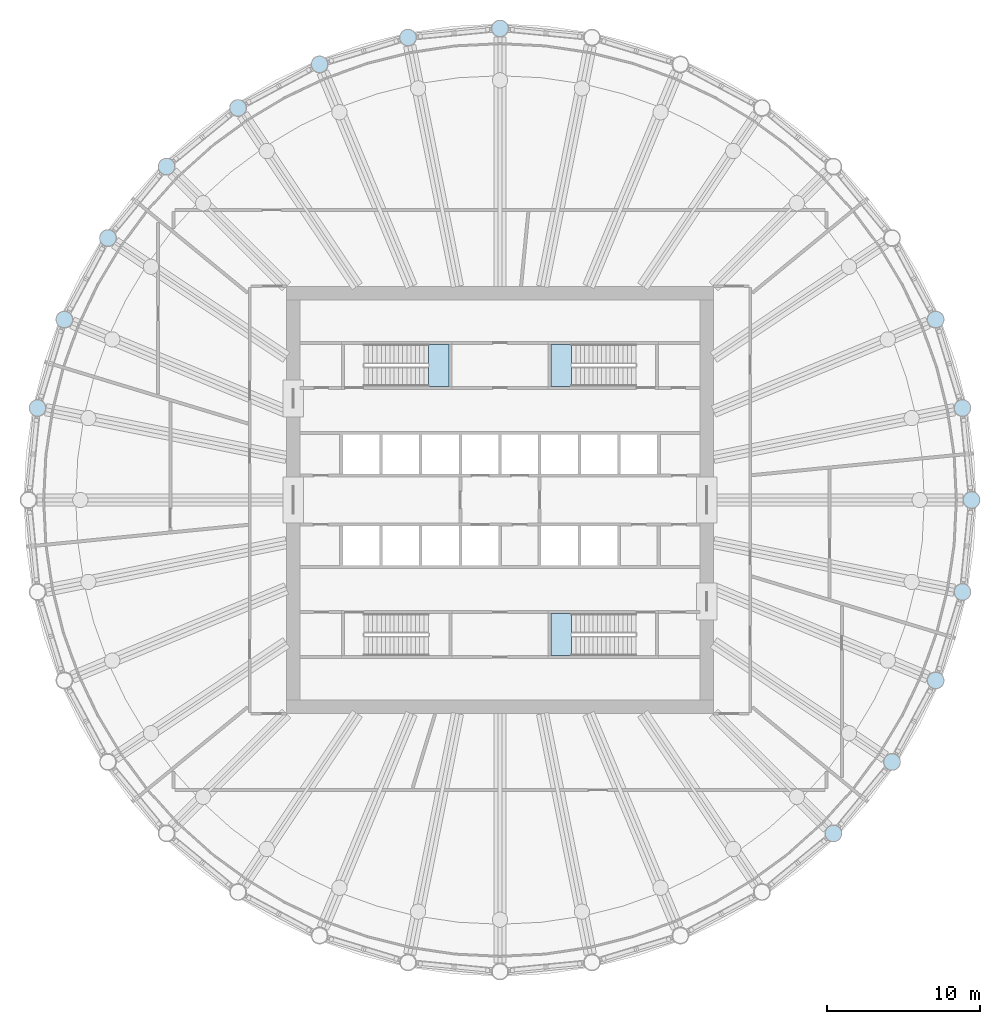
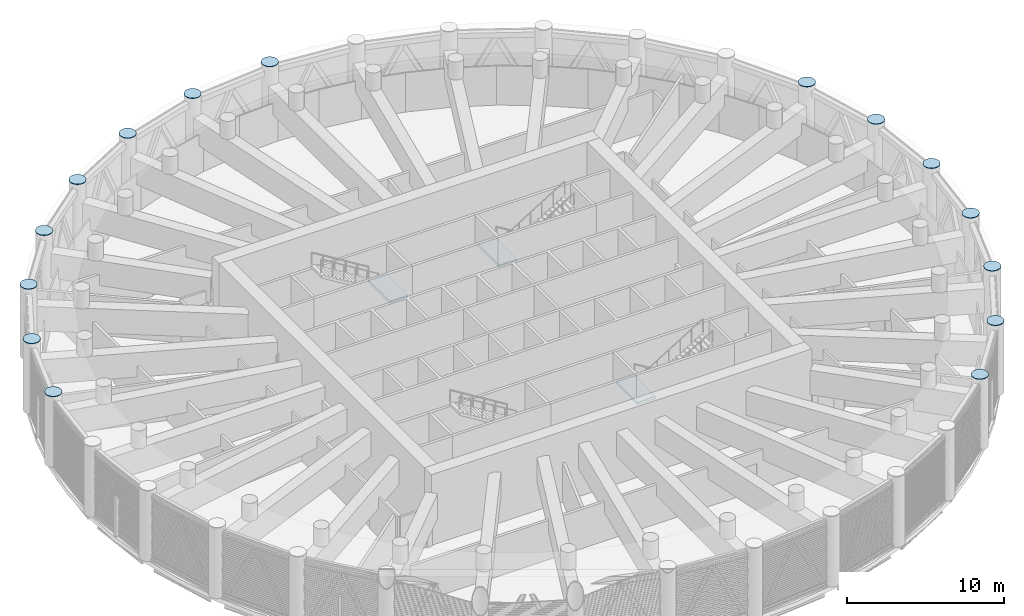
# One storey, part 6 of 23: 15 plates, 3 slabs, 3 elements without a shape of their own.
"""IFC4 building model written with IfcOpenShell, lengths in metres."""

import ifcopenshell
import ifcopenshell.guid

model = None  # the IFC model being written
_history = None  # IfcOwnerHistory: only IFC2X3 demands one
_inside = {}  # id of a spatial element -> (the spatial element, [elements in it])
_under = {}  # id of a project, library or spatial element -> (it, [spatial elements below it])
_declared = {}  # id of a project -> (the project, [libraries it declares])
_typed = {}  # id of a type object -> (the type object, [elements of that type])
_made_of = {}  # id of a material, layer set ... -> (it, [elements and type objects made of it])


def new_model(schema):
    """Start an empty IFC model of exactly this schema.

    Asked for "IFC4X3", IfcOpenShell would pick the latest addendum, in which some entities
    have other attributes; the version numbers below select the first issue.
    IFC2X3 requires an IfcOwnerHistory on every rooted entity: one is made here for all.
    """
    global model, _history
    if schema == "IFC4X3":
        model = ifcopenshell.file(schema_version=(4, 3, 0, 0))
    else:
        model = ifcopenshell.file(schema=schema)
    _inside.clear()
    _under.clear()
    _declared.clear()
    _typed.clear()
    _made_of.clear()
    _history = None
    if model.schema == "IFC2X3":
        org = make("IfcOrganization", Name="unknown")
        user = make(
            "IfcPersonAndOrganization",
            ThePerson=make("IfcPerson", FamilyName="unknown"),
            TheOrganization=org,
        )
        app = make(
            "IfcApplication",
            ApplicationDeveloper=org,
            Version="unknown",
            ApplicationFullName="unknown",
            ApplicationIdentifier="unknown",
        )
        _history = make(
            "IfcOwnerHistory",
            OwningUser=user,
            OwningApplication=app,
            ChangeAction="ADDED",
            CreationDate=0,
        )
    return model


def make(cls, **values):
    """One entity of the class cls with the attributes given. An attribute that is None is left unset."""
    return model.create_entity(
        cls, **{name: value for name, value in values.items() if value is not None}
    )


def rooted(cls, **values):
    """An entity with a GlobalId (a new one), such as an element, a storey or a relation."""
    return make(cls, GlobalId=ifcopenshell.guid.new(), OwnerHistory=_history, **values)


def si_unit(unit_type, name, prefix=None):
    """IfcSIUnit, for example si_unit("LENGTHUNIT", "METRE", prefix="MILLI")."""
    return make("IfcSIUnit", UnitType=unit_type, Prefix=prefix, Name=name)


def assignment(units):
    """IfcUnitAssignment: the units of a project."""
    return None if units is None else make("IfcUnitAssignment", Units=units)


def point(xyz):
    """IfcCartesianPoint."""
    return None if xyz is None else make("IfcCartesianPoint", Coordinates=xyz)


def direction(xyz):
    """IfcDirection."""
    return None if xyz is None else make("IfcDirection", DirectionRatios=xyz)


def frame(location, z_axis=None, x_axis=None):
    """IfcAxis2Placement3D, a coordinate frame: its origin and axes. An axis left out is left unset."""
    return make(
        "IfcAxis2Placement3D",
        Location=point(location),
        Axis=direction(z_axis),
        RefDirection=direction(x_axis),
    )


def origin():
    """The frame at (0, 0, 0) with its axes left unset."""
    return frame((0.0, 0.0, 0.0))


def place(relative_to, where):
    """IfcLocalPlacement: puts the frame where relative to a parent placement (None: the world)."""
    return make(
        "IfcLocalPlacement", PlacementRelTo=relative_to, RelativePlacement=where
    )


def context(
    kind, dimensions, precision=None, world=None, true_north=None, identifier=None
):
    """IfcGeometricRepresentationContext, for example the 3D "Model" context."""
    return make(
        "IfcGeometricRepresentationContext",
        ContextIdentifier=identifier,
        ContextType=kind,
        CoordinateSpaceDimension=dimensions,
        Precision=precision,
        WorldCoordinateSystem=world,
        TrueNorth=true_north,
    )


def subcontext(parent, identifier, kind, view, scale=None):
    """IfcGeometricRepresentationSubContext, for example "Body" below "Model"."""
    return make(
        "IfcGeometricRepresentationSubContext",
        ContextIdentifier=identifier,
        ContextType=kind,
        ParentContext=parent,
        TargetScale=scale,
        TargetView=view,
    )


def project(units=None, contexts=None):
    """IfcProject with its units and contexts."""
    return rooted(
        "IfcProject",
        Name="project",
        RepresentationContexts=contexts,
        UnitsInContext=assignment(units),
    )


def spatial(cls, under=None, at=None, **own):
    """A site, building, storey or space (cls), placed at a placement, below another one or the project."""
    s = rooted(cls, ObjectPlacement=at, **own)
    if under is not None:
        _under.setdefault(under.id(), (under, []))[1].append(s)
    return s


def polyline(points):
    """IfcPolyline through the points."""
    return make("IfcPolyline", Points=[point(p) for p in points])


def outline(outer, holes=None, kind="AREA"):
    """IfcArbitraryClosedProfileDef: a profile drawn as a closed curve; with holes, ...WithVoids."""
    if holes is None:
        return make("IfcArbitraryClosedProfileDef", ProfileType=kind, OuterCurve=outer)
    return make(
        "IfcArbitraryProfileDefWithVoids",
        ProfileType=kind,
        OuterCurve=outer,
        InnerCurves=holes,
    )


def extrude(swept, where, along, depth):
    """IfcExtrudedAreaSolid: the profile swept, set in the frame where, extruded along a direction by depth."""
    return make(
        "IfcExtrudedAreaSolid",
        SweptArea=swept,
        Position=where,
        ExtrudedDirection=direction(along),
        Depth=depth,
    )


def shape(context_of_items, identifier, shape_type, items):
    """IfcShapeRepresentation: the items that make up one representation, for example the "Body"."""
    return make(
        "IfcShapeRepresentation",
        ContextOfItems=context_of_items,
        RepresentationIdentifier=identifier,
        RepresentationType=shape_type,
        Items=items,
    )


def material(Name=None, Category=None):
    """IfcMaterial."""
    return make("IfcMaterial", Name=Name, Category=Category)


def layer(
    of_material, thickness, ventilated=None, Name=None, Category=None, Priority=None
):
    """IfcMaterialLayer: one layer of a wall or slab, of a material (None: an air gap)."""
    return make(
        "IfcMaterialLayer",
        Material=of_material,
        LayerThickness=thickness,
        IsVentilated=ventilated,
        Name=Name,
        Category=Category,
        Priority=Priority,
    )


def layer_set(layers, Name=None):
    """IfcMaterialLayerSet."""
    return make("IfcMaterialLayerSet", MaterialLayers=layers, LayerSetName=Name)


def made_of(thing, what):
    """Note that an element or type object is made of a material, layer set ...; save() writes the relation."""
    if what is not None:
        _made_of.setdefault(what.id(), (what, []))[1].append(thing)
    return thing


def type_object(cls, material=None, **own):
    """A type object (cls), such as IfcWallType, which elements share."""
    return made_of(rooted(cls, **own), material)


def element(
    cls,
    number,
    at=None,
    inside=None,
    cuts=None,
    type_object=None,
    material=None,
    context=None,
    identifier="Body",
    shape_type=None,
    held_by="IfcProductDefinitionShape",
    body=None,
    shapes=None,
    **own,
):
    """One element of the class cls, such as IfcWall. Its Tag is "e" and its number.

    at: its placement. inside: the storey or other place that contains it. cuts: it is an
    opening in that element (IfcRelVoidsElement). A single representation is given by context,
    identifier, shape_type and body (its items); several are given by shapes. held_by: the class
    of the entity that holds the representations. save() writes the other relations.
    """
    e = rooted(cls, Tag="e%d" % number, ObjectPlacement=at, **own)
    if body is not None:
        shapes = [shape(context, identifier, shape_type, body)]
    if shapes is not None:
        e.Representation = make(held_by, Representations=shapes)
    if inside is not None:
        _inside.setdefault(inside.id(), (inside, []))[1].append(e)
    if cuts is not None:
        rooted(
            "IfcRelVoidsElement", RelatingBuildingElement=cuts, RelatedOpeningElement=e
        )
    if type_object is not None:
        _typed.setdefault(type_object.id(), (type_object, []))[1].append(e)
    return made_of(e, material)


def aggregate(whole, parts):
    """IfcRelAggregates: a whole, such as a stair, and the parts it consists of."""
    return rooted("IfcRelAggregates", RelatingObject=whole, RelatedObjects=parts)


def save(model, path):
    """Write the relations noted so far, then the file.

    IfcRelAggregates (storeys below a building ...), IfcRelContainedInSpatialStructure (elements
    in a storey), IfcRelDefinesByType, IfcRelAssociatesMaterial and IfcRelDeclares: one each for
    every whole, place, type object, material and project.
    """
    for whole, parts in _under.values():
        aggregate(whole, parts)
    for where, things in _inside.values():
        rooted(
            "IfcRelContainedInSpatialStructure",
            RelatedElements=things,
            RelatingStructure=where,
        )
    for kind, things in _typed.values():
        rooted("IfcRelDefinesByType", RelatedObjects=things, RelatingType=kind)
    for what, things in _made_of.values():
        rooted("IfcRelAssociatesMaterial", RelatedObjects=things, RelatingMaterial=what)
    for by, libraries in _declared.values():
        rooted("IfcRelDeclares", RelatingContext=by, RelatedDefinitions=libraries)
    model.write(path)


model = new_model("IFC4")

# Units and contexts
model_context = context("Model", 3, precision=1e-05, world=origin(), true_north=direction((0.0, 1.0)))
body_context = subcontext(model_context, "Body", "Model", "MODEL_VIEW")
ifc_project = project(units=[si_unit("LENGTHUNIT", "METRE"), si_unit("AREAUNIT", "SQUARE_METRE"), si_unit("VOLUMEUNIT", "CUBIC_METRE"), si_unit("PLANEANGLEUNIT", "RADIAN"), si_unit("MASSUNIT", "GRAM", prefix="KILO")], contexts=[model_context])

# Site, building, storey
site_placement = place(None, origin())
site = spatial("IfcSite", under=ifc_project, at=site_placement, CompositionType="ELEMENT")
building_placement = place(site_placement, origin())
building = spatial("IfcBuilding", under=site, at=building_placement, Name="Corvane Civic Tower", CompositionType="ELEMENT")
storey_placement = place(building_placement, frame((0.0, 0.0, 196.0)))
storey = spatial("IfcBuildingStorey", under=building, at=storey_placement, Name="L46", CompositionType="ELEMENT", Elevation=196.0)

# Plates
ifc_material_1 = material(Name="Steel ASTM A572 Gr 50", Category="steel")
ifc_layer_1 = layer(ifc_material_1, 0.044921875)
ifc_layer_set_1 = layer_set([ifc_layer_1], Name="Steel ASTM A572 Gr 50")
plate_type = type_object("IfcPlateType", Name="COLUMN CAP PLATE 45", PredefinedType="SHEET", material=ifc_layer_set_1)
plate_1_placement = place(storey_placement, frame((0.0, 0.0, 5.5)))
element("IfcPlate", 1, at=plate_1_placement, inside=storey, type_object=plate_type, Name="PL-L46-cap-C01", PredefinedType="SHEET", context=body_context, shape_type="SweptSolid", body=[
    extrude(outline(polyline([(0.550048828125, 30.89990234375), (0.54541015625, 30.9716796875), (0.53125, 31.042236328125), (0.508056640625, 31.1103515625), (0.476318359375, 31.1748046875), (0.436279296875, 31.234619140625), (0.388916015625, 31.288818359375), (0.334716796875, 31.336181640625), (0.27490234375, 31.376220703125), (0.21044921875, 31.407958984375), (0.142333984375, 31.43115234375), (0.07177734375, 31.4453125), (0.0, 31.449951171875), (-0.07177734375, 31.4453125), (-0.142333984375, 31.43115234375), (-0.21044921875, 31.407958984375), (-0.27490234375, 31.376220703125), (-0.334716796875, 31.336181640625), (-0.388916015625, 31.288818359375), (-0.436279296875, 31.234619140625), (-0.476318359375, 31.1748046875), (-0.508056640625, 31.1103515625), (-0.53125, 31.042236328125), (-0.54541015625, 30.9716796875), (-0.550048828125, 30.89990234375), (-0.54541015625, 30.828125), (-0.53125, 30.757568359375), (-0.508056640625, 30.689453125), (-0.476318359375, 30.625), (-0.436279296875, 30.565185546875), (-0.388916015625, 30.510986328125), (-0.334716796875, 30.463623046875), (-0.27490234375, 30.423583984375), (-0.21044921875, 30.391845703125), (-0.142333984375, 30.36865234375), (-0.07177734375, 30.3544921875), (0.0, 30.349853515625), (0.07177734375, 30.3544921875), (0.142333984375, 30.36865234375), (0.21044921875, 30.391845703125), (0.27490234375, 30.423583984375), (0.334716796875, 30.463623046875), (0.388916015625, 30.510986328125), (0.436279296875, 30.565185546875), (0.476318359375, 30.625), (0.508056640625, 30.689453125), (0.53125, 30.757568359375), (0.54541015625, 30.828125), (0.550048828125, 30.89990234375)])), origin(), (0.0, 0.0, 1.0), 0.044921875),
])
plate_2_placement = place(storey_placement, frame((0.0, 0.0, 5.5)))
element("IfcPlate", 2, at=plate_2_placement, inside=storey, type_object=plate_type, Name="PL-L46-cap-C07", PredefinedType="SHEET", context=body_context, shape_type="SweptSolid", body=[
    extrude(outline(polyline([(29.097900390625, 11.824951171875), (29.093017578125, 11.896728515625), (29.0791015625, 11.96728515625), (29.055908203125, 12.035400390625), (29.024169921875, 12.10009765625), (28.984130859375, 12.159912109375), (28.936767578125, 12.2138671875), (28.8828125, 12.26123046875), (28.822998046875, 12.30126953125), (28.75830078125, 12.3330078125), (28.690185546875, 12.356201171875), (28.61962890625, 12.3701171875), (28.5478515625, 12.375), (28.47607421875, 12.3701171875), (28.405517578125, 12.356201171875), (28.33740234375, 12.3330078125), (28.27294921875, 12.30126953125), (28.212890625, 12.26123046875), (28.158935546875, 12.2138671875), (28.111572265625, 12.159912109375), (28.071533203125, 12.10009765625), (28.039794921875, 12.035400390625), (28.0166015625, 11.96728515625), (28.002685546875, 11.896728515625), (27.997802734375, 11.824951171875), (28.002685546875, 11.753173828125), (28.0166015625, 11.6826171875), (28.039794921875, 11.614501953125), (28.071533203125, 11.550048828125), (28.111572265625, 11.489990234375), (28.158935546875, 11.43603515625), (28.212890625, 11.388671875), (28.27294921875, 11.3486328125), (28.33740234375, 11.31689453125), (28.405517578125, 11.293701171875), (28.47607421875, 11.27978515625), (28.5478515625, 11.27490234375), (28.61962890625, 11.27978515625), (28.690185546875, 11.293701171875), (28.75830078125, 11.31689453125), (28.822998046875, 11.3486328125), (28.8828125, 11.388671875), (28.936767578125, 11.43603515625), (28.984130859375, 11.489990234375), (29.024169921875, 11.550048828125), (29.055908203125, 11.614501953125), (29.0791015625, 11.6826171875), (29.093017578125, 11.753173828125), (29.097900390625, 11.824951171875)])), origin(), (0.0, 0.0, 1.0), 0.044921875),
])
plate_3_placement = place(storey_placement, frame((0.0, 0.0, 5.5)))
element("IfcPlate", 3, at=plate_3_placement, inside=storey, type_object=plate_type, Name="PL-L46-cap-C08", PredefinedType="SHEET", context=body_context, shape_type="SweptSolid", body=[
    extrude(outline(polyline([(30.856201171875, 6.0283203125), (30.851318359375, 6.10009765625), (30.83740234375, 6.170654296875), (30.814208984375, 6.23876953125), (30.782470703125, 6.30322265625), (30.742431640625, 6.363037109375), (30.695068359375, 6.417236328125), (30.64111328125, 6.464599609375), (30.581298828125, 6.504638671875), (30.5166015625, 6.53662109375), (30.448486328125, 6.5595703125), (30.3779296875, 6.573486328125), (30.30615234375, 6.578369140625), (30.234375, 6.573486328125), (30.163818359375, 6.5595703125), (30.095703125, 6.53662109375), (30.03125, 6.504638671875), (29.97119140625, 6.464599609375), (29.917236328125, 6.417236328125), (29.869873046875, 6.363037109375), (29.829833984375, 6.30322265625), (29.798095703125, 6.23876953125), (29.77490234375, 6.170654296875), (29.760986328125, 6.10009765625), (29.756103515625, 6.0283203125), (29.760986328125, 5.95654296875), (29.77490234375, 5.885986328125), (29.798095703125, 5.81787109375), (29.829833984375, 5.75341796875), (29.869873046875, 5.693603515625), (29.917236328125, 5.639404296875), (29.97119140625, 5.592041015625), (30.03125, 5.552001953125), (30.095703125, 5.520263671875), (30.163818359375, 5.4970703125), (30.234375, 5.48291015625), (30.30615234375, 5.478271484375), (30.3779296875, 5.48291015625), (30.448486328125, 5.4970703125), (30.5166015625, 5.520263671875), (30.581298828125, 5.552001953125), (30.64111328125, 5.592041015625), (30.695068359375, 5.639404296875), (30.742431640625, 5.693603515625), (30.782470703125, 5.75341796875), (30.814208984375, 5.81787109375), (30.83740234375, 5.885986328125), (30.851318359375, 5.95654296875), (30.856201171875, 6.0283203125)])), origin(), (0.0, 0.0, 1.0), 0.044921875),
])
plate_4_placement = place(storey_placement, frame((0.0, 0.0, 5.5)))
element("IfcPlate", 4, at=plate_4_placement, inside=storey, type_object=plate_type, Name="PL-L46-cap-C09", PredefinedType="SHEET", context=body_context, shape_type="SweptSolid", body=[
    extrude(outline(polyline([(31.449951171875, 0.0), (31.4453125, 0.07177734375), (31.43115234375, 0.142333984375), (31.407958984375, 0.21044921875), (31.376220703125, 0.27490234375), (31.336181640625, 0.334716796875), (31.288818359375, 0.388916015625), (31.234619140625, 0.436279296875), (31.1748046875, 0.476318359375), (31.1103515625, 0.508056640625), (31.042236328125, 0.53125), (30.9716796875, 0.54541015625), (30.89990234375, 0.550048828125), (30.828125, 0.54541015625), (30.757568359375, 0.53125), (30.689453125, 0.508056640625), (30.625, 0.476318359375), (30.565185546875, 0.436279296875), (30.510986328125, 0.388916015625), (30.463623046875, 0.334716796875), (30.423583984375, 0.27490234375), (30.391845703125, 0.21044921875), (30.36865234375, 0.142333984375), (30.3544921875, 0.07177734375), (30.349853515625, 0.0), (30.3544921875, -0.07177734375), (30.36865234375, -0.142333984375), (30.391845703125, -0.21044921875), (30.423583984375, -0.27490234375), (30.463623046875, -0.334716796875), (30.510986328125, -0.388916015625), (30.565185546875, -0.436279296875), (30.625, -0.476318359375), (30.689453125, -0.508056640625), (30.757568359375, -0.53125), (30.828125, -0.54541015625), (30.89990234375, -0.550048828125), (30.9716796875, -0.54541015625), (31.042236328125, -0.53125), (31.1103515625, -0.508056640625), (31.1748046875, -0.476318359375), (31.234619140625, -0.436279296875), (31.288818359375, -0.388916015625), (31.336181640625, -0.334716796875), (31.376220703125, -0.27490234375), (31.407958984375, -0.21044921875), (31.43115234375, -0.142333984375), (31.4453125, -0.07177734375), (31.449951171875, 0.0)])), origin(), (0.0, 0.0, 1.0), 0.044921875),
])
plate_5_placement = place(storey_placement, frame((0.0, 0.0, 5.5)))
element("IfcPlate", 5, at=plate_5_placement, inside=storey, type_object=plate_type, Name="PL-L46-cap-C10", PredefinedType="SHEET", context=body_context, shape_type="SweptSolid", body=[
    extrude(outline(polyline([(30.856201171875, -6.0283203125), (30.851318359375, -5.95654296875), (30.83740234375, -5.885986328125), (30.814208984375, -5.81787109375), (30.782470703125, -5.75341796875), (30.742431640625, -5.693603515625), (30.695068359375, -5.639404296875), (30.64111328125, -5.592041015625), (30.581298828125, -5.552001953125), (30.5166015625, -5.520263671875), (30.448486328125, -5.4970703125), (30.3779296875, -5.48291015625), (30.30615234375, -5.478271484375), (30.234375, -5.48291015625), (30.163818359375, -5.4970703125), (30.095703125, -5.520263671875), (30.03125, -5.552001953125), (29.97119140625, -5.592041015625), (29.917236328125, -5.639404296875), (29.869873046875, -5.693603515625), (29.829833984375, -5.75341796875), (29.798095703125, -5.81787109375), (29.77490234375, -5.885986328125), (29.760986328125, -5.95654296875), (29.756103515625, -6.0283203125), (29.760986328125, -6.10009765625), (29.77490234375, -6.170654296875), (29.798095703125, -6.23876953125), (29.829833984375, -6.30322265625), (29.869873046875, -6.363037109375), (29.917236328125, -6.417236328125), (29.97119140625, -6.464599609375), (30.03125, -6.504638671875), (30.095703125, -6.53662109375), (30.163818359375, -6.5595703125), (30.234375, -6.573486328125), (30.30615234375, -6.578369140625), (30.3779296875, -6.573486328125), (30.448486328125, -6.5595703125), (30.5166015625, -6.53662109375), (30.581298828125, -6.504638671875), (30.64111328125, -6.464599609375), (30.695068359375, -6.417236328125), (30.742431640625, -6.363037109375), (30.782470703125, -6.30322265625), (30.814208984375, -6.23876953125), (30.83740234375, -6.170654296875), (30.851318359375, -6.10009765625), (30.856201171875, -6.0283203125)])), origin(), (0.0, 0.0, 1.0), 0.044921875),
])
plate_6_placement = place(storey_placement, frame((0.0, 0.0, 5.5)))
element("IfcPlate", 6, at=plate_6_placement, inside=storey, type_object=plate_type, Name="PL-L46-cap-C11", PredefinedType="SHEET", context=body_context, shape_type="SweptSolid", body=[
    extrude(outline(polyline([(29.097900390625, -11.824951171875), (29.093017578125, -11.753173828125), (29.0791015625, -11.6826171875), (29.055908203125, -11.614501953125), (29.024169921875, -11.550048828125), (28.984130859375, -11.489990234375), (28.936767578125, -11.43603515625), (28.8828125, -11.388671875), (28.822998046875, -11.3486328125), (28.75830078125, -11.31689453125), (28.690185546875, -11.293701171875), (28.61962890625, -11.27978515625), (28.5478515625, -11.27490234375), (28.47607421875, -11.27978515625), (28.405517578125, -11.293701171875), (28.33740234375, -11.31689453125), (28.27294921875, -11.3486328125), (28.212890625, -11.388671875), (28.158935546875, -11.43603515625), (28.111572265625, -11.489990234375), (28.071533203125, -11.550048828125), (28.039794921875, -11.614501953125), (28.0166015625, -11.6826171875), (28.002685546875, -11.753173828125), (27.997802734375, -11.824951171875), (28.002685546875, -11.896728515625), (28.0166015625, -11.96728515625), (28.039794921875, -12.035400390625), (28.071533203125, -12.10009765625), (28.111572265625, -12.159912109375), (28.158935546875, -12.2138671875), (28.212890625, -12.26123046875), (28.27294921875, -12.30126953125), (28.33740234375, -12.3330078125), (28.405517578125, -12.356201171875), (28.47607421875, -12.3701171875), (28.5478515625, -12.375), (28.61962890625, -12.3701171875), (28.690185546875, -12.356201171875), (28.75830078125, -12.3330078125), (28.822998046875, -12.30126953125), (28.8828125, -12.26123046875), (28.936767578125, -12.2138671875), (28.984130859375, -12.159912109375), (29.024169921875, -12.10009765625), (29.055908203125, -12.035400390625), (29.0791015625, -11.96728515625), (29.093017578125, -11.896728515625), (29.097900390625, -11.824951171875)])), origin(), (0.0, 0.0, 1.0), 0.044921875),
])
plate_7_placement = place(storey_placement, frame((0.0, 0.0, 5.5)))
element("IfcPlate", 7, at=plate_7_placement, inside=storey, type_object=plate_type, Name="PL-L46-cap-C12", PredefinedType="SHEET", context=body_context, shape_type="SweptSolid", body=[
    extrude(outline(polyline([(26.242431640625, -17.167236328125), (26.23779296875, -17.095458984375), (26.2236328125, -17.02490234375), (26.200439453125, -16.956787109375), (26.168701171875, -16.89208984375), (26.128662109375, -16.83251953125), (26.081298828125, -16.7783203125), (26.027099609375, -16.73095703125), (25.96728515625, -16.69091796875), (25.90283203125, -16.6591796875), (25.834716796875, -16.635986328125), (25.76416015625, -16.621826171875), (25.6923828125, -16.6171875), (25.62060546875, -16.621826171875), (25.550048828125, -16.635986328125), (25.48193359375, -16.6591796875), (25.41748046875, -16.69091796875), (25.357666015625, -16.73095703125), (25.303466796875, -16.7783203125), (25.256103515625, -16.83251953125), (25.216064453125, -16.89208984375), (25.18408203125, -16.956787109375), (25.1611328125, -17.02490234375), (25.147216796875, -17.095458984375), (25.142333984375, -17.167236328125), (25.147216796875, -17.239013671875), (25.1611328125, -17.3095703125), (25.18408203125, -17.377685546875), (25.216064453125, -17.442138671875), (25.256103515625, -17.502197265625), (25.303466796875, -17.55615234375), (25.357666015625, -17.603515625), (25.41748046875, -17.6435546875), (25.48193359375, -17.67529296875), (25.550048828125, -17.698486328125), (25.62060546875, -17.71240234375), (25.6923828125, -17.71728515625), (25.76416015625, -17.71240234375), (25.834716796875, -17.698486328125), (25.90283203125, -17.67529296875), (25.96728515625, -17.6435546875), (26.027099609375, -17.603515625), (26.081298828125, -17.55615234375), (26.128662109375, -17.502197265625), (26.168701171875, -17.442138671875), (26.200439453125, -17.377685546875), (26.2236328125, -17.3095703125), (26.23779296875, -17.239013671875), (26.242431640625, -17.167236328125)])), origin(), (0.0, 0.0, 1.0), 0.044921875),
])
plate_8_placement = place(storey_placement, frame((0.0, 0.0, 5.5)))
element("IfcPlate", 8, at=plate_8_placement, inside=storey, type_object=plate_type, Name="PL-L46-cap-C13", PredefinedType="SHEET", context=body_context, shape_type="SweptSolid", body=[
    extrude(outline(polyline([(22.399658203125, -21.849609375), (22.39501953125, -21.77783203125), (22.380859375, -21.707275390625), (22.357666015625, -21.63916015625), (22.325927734375, -21.57470703125), (22.285888671875, -21.514892578125), (22.238525390625, -21.460693359375), (22.184326171875, -21.413330078125), (22.12451171875, -21.373291015625), (22.06005859375, -21.341552734375), (21.991943359375, -21.318359375), (21.92138671875, -21.30419921875), (21.849609375, -21.299560546875), (21.77783203125, -21.30419921875), (21.707275390625, -21.318359375), (21.63916015625, -21.341552734375), (21.57470703125, -21.373291015625), (21.514892578125, -21.413330078125), (21.460693359375, -21.460693359375), (21.413330078125, -21.514892578125), (21.373291015625, -21.57470703125), (21.341552734375, -21.63916015625), (21.318359375, -21.707275390625), (21.30419921875, -21.77783203125), (21.299560546875, -21.849609375), (21.30419921875, -21.92138671875), (21.318359375, -21.991943359375), (21.341552734375, -22.06005859375), (21.373291015625, -22.12451171875), (21.413330078125, -22.184326171875), (21.460693359375, -22.238525390625), (21.514892578125, -22.285888671875), (21.57470703125, -22.325927734375), (21.63916015625, -22.357666015625), (21.707275390625, -22.380859375), (21.77783203125, -22.39501953125), (21.849609375, -22.399658203125), (21.92138671875, -22.39501953125), (21.991943359375, -22.380859375), (22.06005859375, -22.357666015625), (22.12451171875, -22.325927734375), (22.184326171875, -22.285888671875), (22.238525390625, -22.238525390625), (22.285888671875, -22.184326171875), (22.325927734375, -22.12451171875), (22.357666015625, -22.06005859375), (22.380859375, -21.991943359375), (22.39501953125, -21.92138671875), (22.399658203125, -21.849609375)])), origin(), (0.0, 0.0, 1.0), 0.044921875),
])
plate_9_placement = place(storey_placement, frame((0.0, 0.0, 5.5)))
element("IfcPlate", 9, at=plate_9_placement, inside=storey, type_object=plate_type, Name="PL-L46-cap-C26", PredefinedType="SHEET", context=body_context, shape_type="SweptSolid", body=[
    extrude(outline(polyline([(-29.756103515625, 6.0283203125), (-29.760986328125, 6.10009765625), (-29.77490234375, 6.170654296875), (-29.798095703125, 6.23876953125), (-29.829833984375, 6.30322265625), (-29.869873046875, 6.363037109375), (-29.917236328125, 6.417236328125), (-29.97119140625, 6.464599609375), (-30.03125, 6.504638671875), (-30.095703125, 6.53662109375), (-30.163818359375, 6.5595703125), (-30.234375, 6.573486328125), (-30.30615234375, 6.578369140625), (-30.3779296875, 6.573486328125), (-30.448486328125, 6.5595703125), (-30.5166015625, 6.53662109375), (-30.581298828125, 6.504638671875), (-30.64111328125, 6.464599609375), (-30.695068359375, 6.417236328125), (-30.742431640625, 6.363037109375), (-30.782470703125, 6.30322265625), (-30.814208984375, 6.23876953125), (-30.83740234375, 6.170654296875), (-30.851318359375, 6.10009765625), (-30.856201171875, 6.0283203125), (-30.851318359375, 5.95654296875), (-30.83740234375, 5.885986328125), (-30.814208984375, 5.81787109375), (-30.782470703125, 5.75341796875), (-30.742431640625, 5.693603515625), (-30.695068359375, 5.639404296875), (-30.64111328125, 5.592041015625), (-30.581298828125, 5.552001953125), (-30.5166015625, 5.520263671875), (-30.448486328125, 5.4970703125), (-30.3779296875, 5.48291015625), (-30.30615234375, 5.478271484375), (-30.234375, 5.48291015625), (-30.163818359375, 5.4970703125), (-30.095703125, 5.520263671875), (-30.03125, 5.552001953125), (-29.97119140625, 5.592041015625), (-29.917236328125, 5.639404296875), (-29.869873046875, 5.693603515625), (-29.829833984375, 5.75341796875), (-29.798095703125, 5.81787109375), (-29.77490234375, 5.885986328125), (-29.760986328125, 5.95654296875), (-29.756103515625, 6.0283203125)])), origin(), (0.0, 0.0, 1.0), 0.044921875),
])
plate_10_placement = place(storey_placement, frame((0.0, 0.0, 5.5)))
element("IfcPlate", 10, at=plate_10_placement, inside=storey, type_object=plate_type, Name="PL-L46-cap-C27", PredefinedType="SHEET", context=body_context, shape_type="SweptSolid", body=[
    extrude(outline(polyline([(-27.997802734375, 11.824951171875), (-28.002685546875, 11.896728515625), (-28.0166015625, 11.96728515625), (-28.039794921875, 12.035400390625), (-28.071533203125, 12.10009765625), (-28.111572265625, 12.159912109375), (-28.158935546875, 12.2138671875), (-28.212890625, 12.26123046875), (-28.27294921875, 12.30126953125), (-28.33740234375, 12.3330078125), (-28.405517578125, 12.356201171875), (-28.47607421875, 12.3701171875), (-28.5478515625, 12.375), (-28.61962890625, 12.3701171875), (-28.690185546875, 12.356201171875), (-28.75830078125, 12.3330078125), (-28.822998046875, 12.30126953125), (-28.8828125, 12.26123046875), (-28.936767578125, 12.2138671875), (-28.984130859375, 12.159912109375), (-29.024169921875, 12.10009765625), (-29.055908203125, 12.035400390625), (-29.0791015625, 11.96728515625), (-29.093017578125, 11.896728515625), (-29.097900390625, 11.824951171875), (-29.093017578125, 11.753173828125), (-29.0791015625, 11.6826171875), (-29.055908203125, 11.614501953125), (-29.024169921875, 11.550048828125), (-28.984130859375, 11.489990234375), (-28.936767578125, 11.43603515625), (-28.8828125, 11.388671875), (-28.822998046875, 11.3486328125), (-28.75830078125, 11.31689453125), (-28.690185546875, 11.293701171875), (-28.61962890625, 11.27978515625), (-28.5478515625, 11.27490234375), (-28.47607421875, 11.27978515625), (-28.405517578125, 11.293701171875), (-28.33740234375, 11.31689453125), (-28.27294921875, 11.3486328125), (-28.212890625, 11.388671875), (-28.158935546875, 11.43603515625), (-28.111572265625, 11.489990234375), (-28.071533203125, 11.550048828125), (-28.039794921875, 11.614501953125), (-28.0166015625, 11.6826171875), (-28.002685546875, 11.753173828125), (-27.997802734375, 11.824951171875)])), origin(), (0.0, 0.0, 1.0), 0.044921875),
])
plate_11_placement = place(storey_placement, frame((0.0, 0.0, 5.5)))
element("IfcPlate", 11, at=plate_11_placement, inside=storey, type_object=plate_type, Name="PL-L46-cap-C28", PredefinedType="SHEET", context=body_context, shape_type="SweptSolid", body=[
    extrude(outline(polyline([(-25.142333984375, 17.167236328125), (-25.147216796875, 17.239013671875), (-25.1611328125, 17.3095703125), (-25.18408203125, 17.377685546875), (-25.216064453125, 17.442138671875), (-25.256103515625, 17.502197265625), (-25.303466796875, 17.55615234375), (-25.357666015625, 17.603515625), (-25.41748046875, 17.6435546875), (-25.48193359375, 17.67529296875), (-25.550048828125, 17.698486328125), (-25.62060546875, 17.71240234375), (-25.6923828125, 17.71728515625), (-25.76416015625, 17.71240234375), (-25.834716796875, 17.698486328125), (-25.90283203125, 17.67529296875), (-25.96728515625, 17.6435546875), (-26.027099609375, 17.603515625), (-26.081298828125, 17.55615234375), (-26.128662109375, 17.502197265625), (-26.168701171875, 17.442138671875), (-26.200439453125, 17.377685546875), (-26.2236328125, 17.3095703125), (-26.23779296875, 17.239013671875), (-26.242431640625, 17.167236328125), (-26.23779296875, 17.095458984375), (-26.2236328125, 17.02490234375), (-26.200439453125, 16.956787109375), (-26.168701171875, 16.89208984375), (-26.128662109375, 16.83251953125), (-26.081298828125, 16.7783203125), (-26.027099609375, 16.73095703125), (-25.96728515625, 16.69091796875), (-25.90283203125, 16.6591796875), (-25.834716796875, 16.635986328125), (-25.76416015625, 16.621826171875), (-25.6923828125, 16.6171875), (-25.62060546875, 16.621826171875), (-25.550048828125, 16.635986328125), (-25.48193359375, 16.6591796875), (-25.41748046875, 16.69091796875), (-25.357666015625, 16.73095703125), (-25.303466796875, 16.7783203125), (-25.256103515625, 16.83251953125), (-25.216064453125, 16.89208984375), (-25.18408203125, 16.956787109375), (-25.1611328125, 17.02490234375), (-25.147216796875, 17.095458984375), (-25.142333984375, 17.167236328125)])), origin(), (0.0, 0.0, 1.0), 0.044921875),
])
plate_12_placement = place(storey_placement, frame((0.0, 0.0, 5.5)))
element("IfcPlate", 12, at=plate_12_placement, inside=storey, type_object=plate_type, Name="PL-L46-cap-C29", PredefinedType="SHEET", context=body_context, shape_type="SweptSolid", body=[
    extrude(outline(polyline([(-21.299560546875, 21.849609375), (-21.30419921875, 21.92138671875), (-21.318359375, 21.991943359375), (-21.341552734375, 22.06005859375), (-21.373291015625, 22.12451171875), (-21.413330078125, 22.184326171875), (-21.460693359375, 22.238525390625), (-21.514892578125, 22.285888671875), (-21.57470703125, 22.325927734375), (-21.63916015625, 22.357666015625), (-21.707275390625, 22.380859375), (-21.77783203125, 22.39501953125), (-21.849609375, 22.399658203125), (-21.92138671875, 22.39501953125), (-21.991943359375, 22.380859375), (-22.06005859375, 22.357666015625), (-22.12451171875, 22.325927734375), (-22.184326171875, 22.285888671875), (-22.238525390625, 22.238525390625), (-22.285888671875, 22.184326171875), (-22.325927734375, 22.12451171875), (-22.357666015625, 22.06005859375), (-22.380859375, 21.991943359375), (-22.39501953125, 21.92138671875), (-22.399658203125, 21.849609375), (-22.39501953125, 21.77783203125), (-22.380859375, 21.707275390625), (-22.357666015625, 21.63916015625), (-22.325927734375, 21.57470703125), (-22.285888671875, 21.514892578125), (-22.238525390625, 21.460693359375), (-22.184326171875, 21.413330078125), (-22.12451171875, 21.373291015625), (-22.06005859375, 21.341552734375), (-21.991943359375, 21.318359375), (-21.92138671875, 21.30419921875), (-21.849609375, 21.299560546875), (-21.77783203125, 21.30419921875), (-21.707275390625, 21.318359375), (-21.63916015625, 21.341552734375), (-21.57470703125, 21.373291015625), (-21.514892578125, 21.413330078125), (-21.460693359375, 21.460693359375), (-21.413330078125, 21.514892578125), (-21.373291015625, 21.57470703125), (-21.341552734375, 21.63916015625), (-21.318359375, 21.707275390625), (-21.30419921875, 21.77783203125), (-21.299560546875, 21.849609375)])), origin(), (0.0, 0.0, 1.0), 0.044921875),
])
plate_13_placement = place(storey_placement, frame((0.0, 0.0, 5.5)))
element("IfcPlate", 13, at=plate_13_placement, inside=storey, type_object=plate_type, Name="PL-L46-cap-C30", PredefinedType="SHEET", context=body_context, shape_type="SweptSolid", body=[
    extrude(outline(polyline([(-16.6171875, 25.6923828125), (-16.621826171875, 25.76416015625), (-16.635986328125, 25.834716796875), (-16.6591796875, 25.90283203125), (-16.69091796875, 25.96728515625), (-16.73095703125, 26.027099609375), (-16.7783203125, 26.081298828125), (-16.83251953125, 26.128662109375), (-16.89208984375, 26.168701171875), (-16.956787109375, 26.200439453125), (-17.02490234375, 26.2236328125), (-17.095458984375, 26.23779296875), (-17.167236328125, 26.242431640625), (-17.239013671875, 26.23779296875), (-17.3095703125, 26.2236328125), (-17.377685546875, 26.200439453125), (-17.442138671875, 26.168701171875), (-17.502197265625, 26.128662109375), (-17.55615234375, 26.081298828125), (-17.603515625, 26.027099609375), (-17.6435546875, 25.96728515625), (-17.67529296875, 25.90283203125), (-17.698486328125, 25.834716796875), (-17.71240234375, 25.76416015625), (-17.71728515625, 25.6923828125), (-17.71240234375, 25.62060546875), (-17.698486328125, 25.550048828125), (-17.67529296875, 25.48193359375), (-17.6435546875, 25.41748046875), (-17.603515625, 25.357666015625), (-17.55615234375, 25.303466796875), (-17.502197265625, 25.256103515625), (-17.442138671875, 25.216064453125), (-17.377685546875, 25.18408203125), (-17.3095703125, 25.1611328125), (-17.239013671875, 25.147216796875), (-17.167236328125, 25.142333984375), (-17.095458984375, 25.147216796875), (-17.02490234375, 25.1611328125), (-16.956787109375, 25.18408203125), (-16.89208984375, 25.216064453125), (-16.83251953125, 25.256103515625), (-16.7783203125, 25.303466796875), (-16.73095703125, 25.357666015625), (-16.69091796875, 25.41748046875), (-16.6591796875, 25.48193359375), (-16.635986328125, 25.550048828125), (-16.621826171875, 25.62060546875), (-16.6171875, 25.6923828125)])), origin(), (0.0, 0.0, 1.0), 0.044921875),
])
plate_14_placement = place(storey_placement, frame((0.0, 0.0, 5.5)))
element("IfcPlate", 14, at=plate_14_placement, inside=storey, type_object=plate_type, Name="PL-L46-cap-C31", PredefinedType="SHEET", context=body_context, shape_type="SweptSolid", body=[
    extrude(outline(polyline([(-11.27490234375, 28.5478515625), (-11.27978515625, 28.61962890625), (-11.293701171875, 28.690185546875), (-11.31689453125, 28.75830078125), (-11.3486328125, 28.822998046875), (-11.388671875, 28.8828125), (-11.43603515625, 28.936767578125), (-11.489990234375, 28.984130859375), (-11.550048828125, 29.024169921875), (-11.614501953125, 29.055908203125), (-11.6826171875, 29.0791015625), (-11.753173828125, 29.093017578125), (-11.824951171875, 29.097900390625), (-11.896728515625, 29.093017578125), (-11.96728515625, 29.0791015625), (-12.035400390625, 29.055908203125), (-12.10009765625, 29.024169921875), (-12.159912109375, 28.984130859375), (-12.2138671875, 28.936767578125), (-12.26123046875, 28.8828125), (-12.30126953125, 28.822998046875), (-12.3330078125, 28.75830078125), (-12.356201171875, 28.690185546875), (-12.3701171875, 28.61962890625), (-12.375, 28.5478515625), (-12.3701171875, 28.47607421875), (-12.356201171875, 28.405517578125), (-12.3330078125, 28.33740234375), (-12.30126953125, 28.27294921875), (-12.26123046875, 28.212890625), (-12.2138671875, 28.158935546875), (-12.159912109375, 28.111572265625), (-12.10009765625, 28.071533203125), (-12.035400390625, 28.039794921875), (-11.96728515625, 28.0166015625), (-11.896728515625, 28.002685546875), (-11.824951171875, 27.997802734375), (-11.753173828125, 28.002685546875), (-11.6826171875, 28.0166015625), (-11.614501953125, 28.039794921875), (-11.550048828125, 28.071533203125), (-11.489990234375, 28.111572265625), (-11.43603515625, 28.158935546875), (-11.388671875, 28.212890625), (-11.3486328125, 28.27294921875), (-11.31689453125, 28.33740234375), (-11.293701171875, 28.405517578125), (-11.27978515625, 28.47607421875), (-11.27490234375, 28.5478515625)])), origin(), (0.0, 0.0, 1.0), 0.044921875),
])
plate_15_placement = place(storey_placement, frame((0.0, 0.0, 5.5)))
element("IfcPlate", 15, at=plate_15_placement, inside=storey, type_object=plate_type, Name="PL-L46-cap-C32", PredefinedType="SHEET", context=body_context, shape_type="SweptSolid", body=[
    extrude(outline(polyline([(-5.478271484375, 30.30615234375), (-5.48291015625, 30.3779296875), (-5.4970703125, 30.448486328125), (-5.520263671875, 30.5166015625), (-5.552001953125, 30.581298828125), (-5.592041015625, 30.64111328125), (-5.639404296875, 30.695068359375), (-5.693603515625, 30.742431640625), (-5.75341796875, 30.782470703125), (-5.81787109375, 30.814208984375), (-5.885986328125, 30.83740234375), (-5.95654296875, 30.851318359375), (-6.0283203125, 30.856201171875), (-6.10009765625, 30.851318359375), (-6.170654296875, 30.83740234375), (-6.23876953125, 30.814208984375), (-6.30322265625, 30.782470703125), (-6.363037109375, 30.742431640625), (-6.417236328125, 30.695068359375), (-6.464599609375, 30.64111328125), (-6.504638671875, 30.581298828125), (-6.53662109375, 30.5166015625), (-6.5595703125, 30.448486328125), (-6.573486328125, 30.3779296875), (-6.578369140625, 30.30615234375), (-6.573486328125, 30.234375), (-6.5595703125, 30.163818359375), (-6.53662109375, 30.095703125), (-6.504638671875, 30.03125), (-6.464599609375, 29.97119140625), (-6.417236328125, 29.917236328125), (-6.363037109375, 29.869873046875), (-6.30322265625, 29.829833984375), (-6.23876953125, 29.798095703125), (-6.170654296875, 29.77490234375), (-6.10009765625, 29.760986328125), (-6.0283203125, 29.756103515625), (-5.95654296875, 29.760986328125), (-5.885986328125, 29.77490234375), (-5.81787109375, 29.798095703125), (-5.75341796875, 29.829833984375), (-5.693603515625, 29.869873046875), (-5.639404296875, 29.917236328125), (-5.592041015625, 29.97119140625), (-5.552001953125, 30.03125), (-5.520263671875, 30.095703125), (-5.4970703125, 30.163818359375), (-5.48291015625, 30.234375), (-5.478271484375, 30.30615234375)])), origin(), (0.0, 0.0, 1.0), 0.044921875),
])

# Stair, slab
ifc_material_2 = material(Name="Concrete C40/50", Category="concrete")
stair_type = type_object("IfcStairType", Name="ST-STAIR-HALFTURN", PredefinedType="HALF_TURN_STAIR", material=ifc_material_2)
stair_1_placement = place(storey_placement, origin())
stair_1 = element("IfcStair", 16, at=stair_1_placement, inside=storey, type_object=stair_type, Name="L46 Exit stair ST1", PredefinedType="HALF_TURN_STAIR")
ifc_material_3 = material(Name="Concrete C40/50", Category="concrete")
ifc_layer_2 = layer(ifc_material_3, 0.199951171875)
ifc_layer_set_2 = layer_set([ifc_layer_2], Name="Concrete C40/50")
slab_type = type_object("IfcSlabType", Name="ST-LANDING-RC", PredefinedType="LANDING", material=ifc_layer_set_2)
slab_1_placement = place(storey_placement, frame((0.0, 0.0, 2.550048828125)))
slab_1 = element("IfcSlab", 17, at=slab_1_placement, type_object=slab_type, Name="ST1 landing 1", PredefinedType="LANDING", context=body_context, shape_type="SweptSolid", body=[
    extrude(outline(polyline([(4.699951171875, 10.199951171875), (3.35009765625, 10.199951171875), (3.35009765625, 7.449951171875), (4.699951171875, 7.449951171875), (4.699951171875, 10.199951171875)])), origin(), (0.0, 0.0, 1.0), 0.199951171875),
])
aggregate(stair_1, [slab_1])

stair_2_placement = place(storey_placement, origin())
stair_2 = element("IfcStair", 18, at=stair_2_placement, inside=storey, type_object=stair_type, Name="L46 Exit stair ST2", PredefinedType="HALF_TURN_STAIR")
slab_2_placement = place(storey_placement, frame((0.0, 0.0, 2.550048828125)))
slab_2 = element("IfcSlab", 19, at=slab_2_placement, type_object=slab_type, Name="ST2 landing 1", PredefinedType="LANDING", context=body_context, shape_type="SweptSolid", body=[
    extrude(outline(polyline([(4.699951171875, -7.449951171875), (3.35009765625, -7.449951171875), (3.35009765625, -10.199951171875), (4.699951171875, -10.199951171875), (4.699951171875, -7.449951171875)])), origin(), (0.0, 0.0, 1.0), 0.199951171875),
])
aggregate(stair_2, [slab_2])

stair_3_placement = place(storey_placement, origin())
stair_3 = element("IfcStair", 20, at=stair_3_placement, inside=storey, type_object=stair_type, Name="L46 Exit stair ST4", PredefinedType="HALF_TURN_STAIR")
slab_3_placement = place(storey_placement, frame((0.0, 0.0, 2.550048828125)))
slab_3 = element("IfcSlab", 21, at=slab_3_placement, type_object=slab_type, Name="ST4 landing 1", PredefinedType="LANDING", context=body_context, shape_type="SweptSolid", body=[
    extrude(outline(polyline([(-4.699951171875, 7.449951171875), (-3.35009765625, 7.449951171875), (-3.35009765625, 10.199951171875), (-4.699951171875, 10.199951171875), (-4.699951171875, 7.449951171875)])), origin(), (0.0, 0.0, 1.0), 0.199951171875),
])
aggregate(stair_3, [slab_3])

save(model, "model.ifc")
